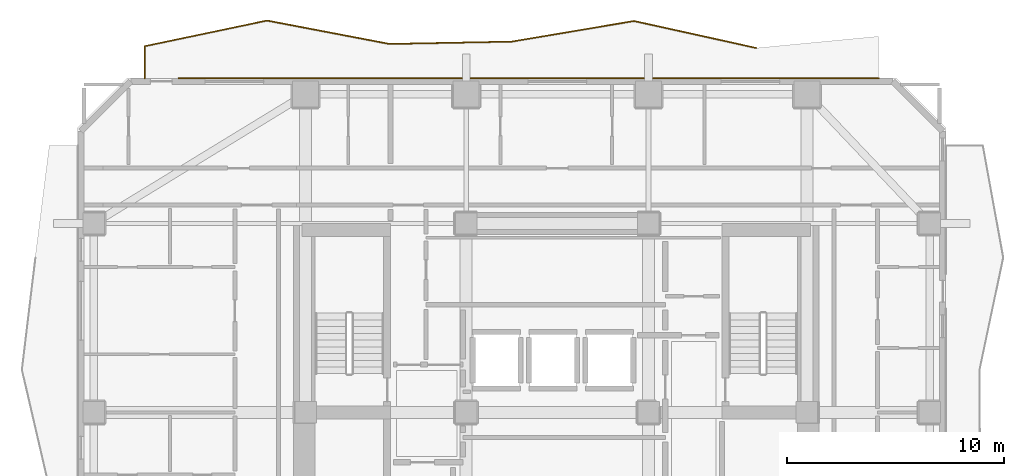
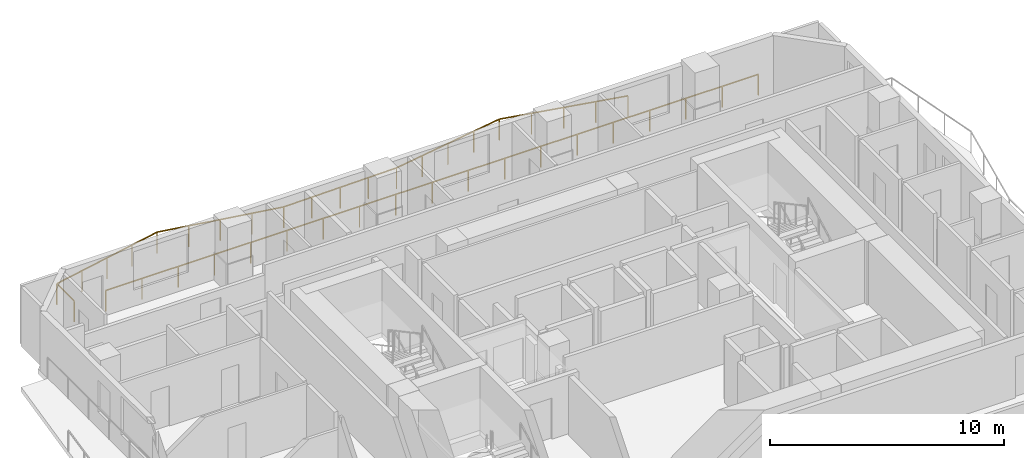
# One storey, part 11 of 11: 2 railings.
"""IFC4 building model written with IfcOpenShell, lengths in metres."""

from ifc_helpers import new_model, si_unit, direction, frame, origin, origin_2d, place, context, subcontext, project, spatial, rectangle, extrude, material, type_object, element, save


model = new_model("IFC4")

# Units and contexts
model_context = context("Model", 3, precision=1e-05, world=origin(), true_north=direction((0.0, 1.0)))
body_context = subcontext(model_context, "Body", "Model", "MODEL_VIEW")
ifc_project = project(units=[si_unit("LENGTHUNIT", "METRE"), si_unit("AREAUNIT", "SQUARE_METRE"), si_unit("VOLUMEUNIT", "CUBIC_METRE"), si_unit("PLANEANGLEUNIT", "RADIAN"), si_unit("MASSUNIT", "GRAM", prefix="KILO")], contexts=[model_context])

# Site, building, storey
site_placement = place(None, origin())
site = spatial("IfcSite", under=ifc_project, at=site_placement, CompositionType="ELEMENT")
building_placement = place(site_placement, origin())
building = spatial("IfcBuilding", under=site, at=building_placement, Name="Solanera Arch Residences", CompositionType="ELEMENT")
storey_placement = place(building_placement, frame((0.0, 0.0, 109.39990234375)))
storey = spatial("IfcBuildingStorey", under=building, at=storey_placement, Name="L31", CompositionType="ELEMENT", Elevation=109.39990234375)

# Railings
ifc_material = material(Name="Steel S355 (ASTM A992 / A572 Grade 50)", Category="steel")
railing_type = type_object("IfcRailingType", Name="Balustrade Railing BL-1100", PredefinedType="BALUSTRADE", material=ifc_material)
railing_1_placement = place(storey_placement, frame((34.1669921875, 47.48193359375, 0.0)))
element("IfcRailing", 1, at=railing_1_placement, inside=storey, type_object=railing_type, Name="L31 N Balcony Balustrade 1", PredefinedType="BALUSTRADE", context=body_context, shape_type="SweptSolid", body=[
    extrude(rectangle(XDim=0.048095703125, YDim=0.048095703125, at=origin_2d()), frame((0.0, 0.0, 1.09619140625), z_axis=(-0.976474924797, 0.215630983957, 0.0), x_axis=(-0.215630983957, -0.976474924797, 0.0)), (0.0, 0.0, 1.0), 5.769775390625),
    extrude(rectangle(XDim=0.048095703125, YDim=0.048095703125, at=origin_2d()), frame((-5.634033203125, 1.244140625, 1.09619140625), z_axis=(-0.986104795879, -0.166124445958, 0.0), x_axis=(0.166124445958, -0.986104795879, 0.0)), (0.0, 0.0, 1.0), 5.71240234375),
    extrude(rectangle(XDim=0.048095703125, YDim=0.048095703125, at=origin_2d()), frame((-11.26708984375, 0.295166015625, 1.09619140625), z_axis=(-0.999815716307, -0.019197224442, 0.0), x_axis=(0.019197224442, -0.999815716307, 0.0)), (0.0, 0.0, 1.0), 5.6337890625),
    extrude(rectangle(XDim=0.048095703125, YDim=0.048095703125, at=origin_2d()), frame((-16.89990234375, 0.18701171875, 1.09619140625), z_axis=(-0.982178769248, 0.187949102786, 0.0), x_axis=(-0.187949102786, -0.982178769248, 0.0)), (0.0, 0.0, 1.0), 5.736328125),
    extrude(rectangle(XDim=0.048095703125, YDim=0.048095703125, at=origin_2d()), frame((-22.533935546875, 1.26513671875, 1.09619140625), z_axis=(-0.978681896446, -0.205381950444, 0.0), x_axis=(0.205381950444, -0.978681896446, 0.0)), (0.0, 0.0, 1.0), 5.755859375),
    extrude(rectangle(XDim=0.048095703125, YDim=0.048095703125, at=origin_2d()), frame((-28.1669921875, 0.0830078125, 1.09619140625), z_axis=(0.0, -1.0, 0.0), x_axis=(1.0, 0.0, 0.0)), (0.0, 0.0, 1.0), 1.48486328125),
    extrude(rectangle(XDim=0.0419921875, YDim=0.0419921875, at=origin_2d()), origin(), (0.0, 0.0, 1.0), 1.072021484375),
    extrude(rectangle(XDim=0.0419921875, YDim=0.0419921875, at=origin_2d()), frame((-1.408447265625, 0.31103515625, 0.0)), (0.0, 0.0, 1.0), 1.072021484375),
    extrude(rectangle(XDim=0.0419921875, YDim=0.0419921875, at=origin_2d()), frame((-2.81689453125, 0.6220703125, 0.0)), (0.0, 0.0, 1.0), 1.072021484375),
    extrude(rectangle(XDim=0.0419921875, YDim=0.0419921875, at=origin_2d()), frame((-4.2255859375, 0.93310546875, 0.0)), (0.0, 0.0, 1.0), 1.072021484375),
    extrude(rectangle(XDim=0.0419921875, YDim=0.0419921875, at=origin_2d()), frame((-5.634033203125, 1.244140625, 0.0)), (0.0, 0.0, 1.0), 1.072021484375),
    extrude(rectangle(XDim=0.0419921875, YDim=0.0419921875, at=origin_2d()), frame((-7.042236328125, 1.0068359375, 0.0)), (0.0, 0.0, 1.0), 1.072021484375),
    extrude(rectangle(XDim=0.0419921875, YDim=0.0419921875, at=origin_2d()), frame((-8.45068359375, 0.76953125, 0.0)), (0.0, 0.0, 1.0), 1.072021484375),
    extrude(rectangle(XDim=0.0419921875, YDim=0.0419921875, at=origin_2d()), frame((-9.85888671875, 0.532470703125, 0.0)), (0.0, 0.0, 1.0), 1.072021484375),
    extrude(rectangle(XDim=0.0419921875, YDim=0.0419921875, at=origin_2d()), frame((-11.26708984375, 0.295166015625, 0.0)), (0.0, 0.0, 1.0), 1.072021484375),
    extrude(rectangle(XDim=0.0419921875, YDim=0.0419921875, at=origin_2d()), frame((-12.67529296875, 0.26806640625, 0.0)), (0.0, 0.0, 1.0), 1.072021484375),
    extrude(rectangle(XDim=0.0419921875, YDim=0.0419921875, at=origin_2d()), frame((-14.08349609375, 0.2412109375, 0.0)), (0.0, 0.0, 1.0), 1.072021484375),
    extrude(rectangle(XDim=0.0419921875, YDim=0.0419921875, at=origin_2d()), frame((-15.49169921875, 0.214111328125, 0.0)), (0.0, 0.0, 1.0), 1.072021484375),
    extrude(rectangle(XDim=0.0419921875, YDim=0.0419921875, at=origin_2d()), frame((-16.89990234375, 0.18701171875, 0.0)), (0.0, 0.0, 1.0), 1.072021484375),
    extrude(rectangle(XDim=0.0419921875, YDim=0.0419921875, at=origin_2d()), frame((-18.308349609375, 0.45654296875, 0.0)), (0.0, 0.0, 1.0), 1.072021484375),
    extrude(rectangle(XDim=0.0419921875, YDim=0.0419921875, at=origin_2d()), frame((-19.716796875, 0.72607421875, 0.0)), (0.0, 0.0, 1.0), 1.072021484375),
    extrude(rectangle(XDim=0.0419921875, YDim=0.0419921875, at=origin_2d()), frame((-21.12548828125, 0.99560546875, 0.0)), (0.0, 0.0, 1.0), 1.072021484375),
    extrude(rectangle(XDim=0.0419921875, YDim=0.0419921875, at=origin_2d()), frame((-22.533935546875, 1.26513671875, 0.0)), (0.0, 0.0, 1.0), 1.072021484375),
    extrude(rectangle(XDim=0.0419921875, YDim=0.0419921875, at=origin_2d()), frame((-23.942138671875, 0.9697265625, 0.0)), (0.0, 0.0, 1.0), 1.072021484375),
    extrude(rectangle(XDim=0.0419921875, YDim=0.0419921875, at=origin_2d()), frame((-25.3505859375, 0.674072265625, 0.0)), (0.0, 0.0, 1.0), 1.072021484375),
    extrude(rectangle(XDim=0.0419921875, YDim=0.0419921875, at=origin_2d()), frame((-26.7587890625, 0.37841796875, 0.0)), (0.0, 0.0, 1.0), 1.072021484375),
    extrude(rectangle(XDim=0.0419921875, YDim=0.0419921875, at=origin_2d()), frame((-28.1669921875, 0.0830078125, 0.0)), (0.0, 0.0, 1.0), 1.072021484375),
    extrude(rectangle(XDim=0.0419921875, YDim=0.0419921875, at=origin_2d()), frame((-28.1669921875, -1.40185546875, 0.0)), (0.0, 0.0, 1.0), 1.072021484375),
])
railing_2_placement = place(storey_placement, frame((7.55908203125, 46.080078125, 0.0)))
element("IfcRailing", 2, at=railing_2_placement, inside=storey, type_object=railing_type, Name="L31 N Balcony Balustrade 2", PredefinedType="BALUSTRADE", context=body_context, shape_type="SweptSolid", body=[
    extrude(rectangle(XDim=0.048095703125, YDim=0.048095703125, at=origin_2d()), frame((0.0, 0.0, 1.09619140625), z_axis=(1.0, 0.0, 0.0), x_axis=(0.0, 1.0, 0.0)), (0.0, 0.0, 1.0), 32.240966796875),
    extrude(rectangle(XDim=0.0419921875, YDim=0.0419921875, at=origin_2d()), origin(), (0.0, 0.0, 1.0), 1.072021484375),
    extrude(rectangle(XDim=0.0419921875, YDim=0.0419921875, at=origin_2d()), frame((1.791259765625, 0.0, 0.0)), (0.0, 0.0, 1.0), 1.072021484375),
    extrude(rectangle(XDim=0.0419921875, YDim=0.0419921875, at=origin_2d()), frame((3.582275390625, 0.0, 0.0)), (0.0, 0.0, 1.0), 1.072021484375),
    extrude(rectangle(XDim=0.0419921875, YDim=0.0419921875, at=origin_2d()), frame((5.37353515625, 0.0, 0.0)), (0.0, 0.0, 1.0), 1.072021484375),
    extrude(rectangle(XDim=0.0419921875, YDim=0.0419921875, at=origin_2d()), frame((7.16455078125, 0.0, 0.0)), (0.0, 0.0, 1.0), 1.072021484375),
    extrude(rectangle(XDim=0.0419921875, YDim=0.0419921875, at=origin_2d()), frame((8.955810546875, 0.0, 0.0)), (0.0, 0.0, 1.0), 1.072021484375),
    extrude(rectangle(XDim=0.0419921875, YDim=0.0419921875, at=origin_2d()), frame((10.7470703125, 0.0, 0.0)), (0.0, 0.0, 1.0), 1.072021484375),
    extrude(rectangle(XDim=0.0419921875, YDim=0.0419921875, at=origin_2d()), frame((12.5380859375, 0.0, 0.0)), (0.0, 0.0, 1.0), 1.072021484375),
    extrude(rectangle(XDim=0.0419921875, YDim=0.0419921875, at=origin_2d()), frame((14.329345703125, 0.0, 0.0)), (0.0, 0.0, 1.0), 1.072021484375),
    extrude(rectangle(XDim=0.0419921875, YDim=0.0419921875, at=origin_2d()), frame((16.12060546875, 0.0, 0.0)), (0.0, 0.0, 1.0), 1.072021484375),
    extrude(rectangle(XDim=0.0419921875, YDim=0.0419921875, at=origin_2d()), frame((17.91162109375, 0.0, 0.0)), (0.0, 0.0, 1.0), 1.072021484375),
    extrude(rectangle(XDim=0.0419921875, YDim=0.0419921875, at=origin_2d()), frame((19.702880859375, 0.0, 0.0)), (0.0, 0.0, 1.0), 1.072021484375),
    extrude(rectangle(XDim=0.0419921875, YDim=0.0419921875, at=origin_2d()), frame((21.493896484375, 0.0, 0.0)), (0.0, 0.0, 1.0), 1.072021484375),
    extrude(rectangle(XDim=0.0419921875, YDim=0.0419921875, at=origin_2d()), frame((23.28515625, 0.0, 0.0)), (0.0, 0.0, 1.0), 1.072021484375),
    extrude(rectangle(XDim=0.0419921875, YDim=0.0419921875, at=origin_2d()), frame((25.076416015625, 0.0, 0.0)), (0.0, 0.0, 1.0), 1.072021484375),
    extrude(rectangle(XDim=0.0419921875, YDim=0.0419921875, at=origin_2d()), frame((26.867431640625, 0.0, 0.0)), (0.0, 0.0, 1.0), 1.072021484375),
    extrude(rectangle(XDim=0.0419921875, YDim=0.0419921875, at=origin_2d()), frame((28.65869140625, 0.0, 0.0)), (0.0, 0.0, 1.0), 1.072021484375),
    extrude(rectangle(XDim=0.0419921875, YDim=0.0419921875, at=origin_2d()), frame((30.44970703125, 0.0, 0.0)), (0.0, 0.0, 1.0), 1.072021484375),
    extrude(rectangle(XDim=0.0419921875, YDim=0.0419921875, at=origin_2d()), frame((32.240966796875, 0.0, 0.0)), (0.0, 0.0, 1.0), 1.072021484375),
])

save(model, "model.ifc")
